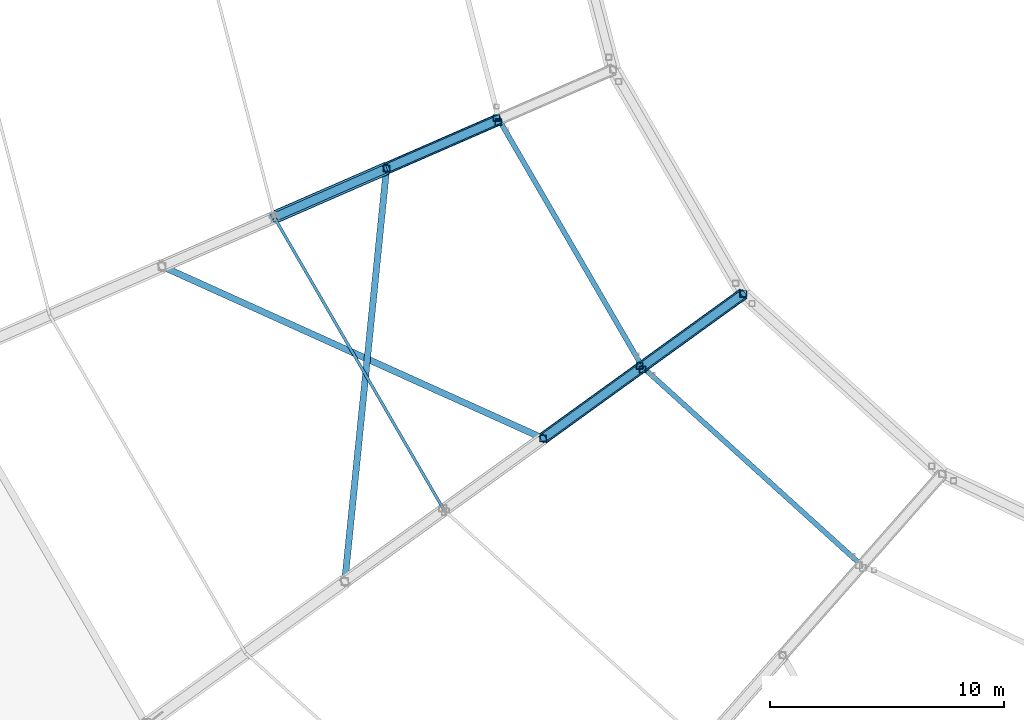
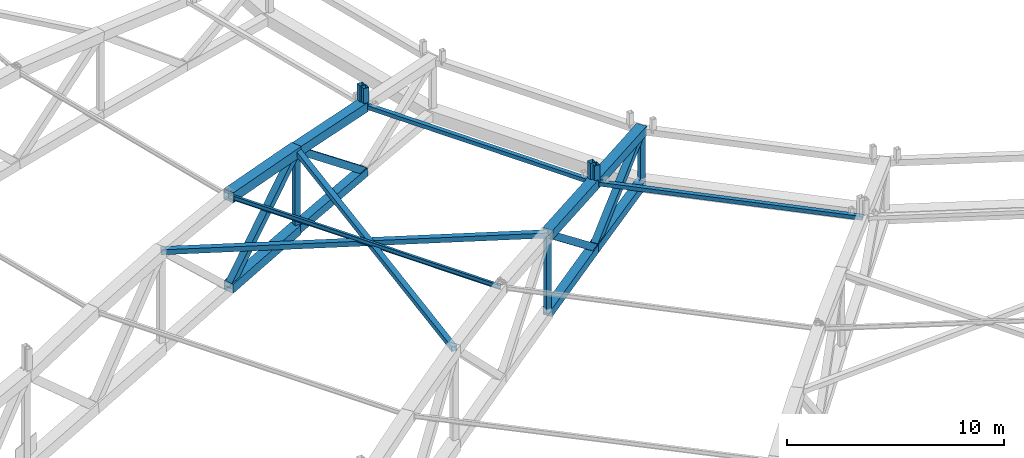
# One storey, part 23 of 162: 24 members.
"""IFC4 building model written with IfcOpenShell, lengths in metres."""

from ifc_helpers import new_model, si_unit, direction, frame, origin, origin_2d, place, context, subcontext, project, spatial, hollow_rectangle, i_section, extrude, material, material_profile, profile_set, type_object, element, save


model = new_model("IFC4")

# Units and contexts
model_context = context("Model", 3, precision=1e-05, world=origin(), true_north=direction((0.0, 1.0)))
body_context = subcontext(model_context, "Body", "Model", "MODEL_VIEW")
ifc_project = project(units=[si_unit("LENGTHUNIT", "METRE"), si_unit("AREAUNIT", "SQUARE_METRE"), si_unit("VOLUMEUNIT", "CUBIC_METRE"), si_unit("PLANEANGLEUNIT", "RADIAN"), si_unit("MASSUNIT", "GRAM", prefix="KILO")], contexts=[model_context])

# Site, building, storey
site_placement = place(None, origin())
site = spatial("IfcSite", under=ifc_project, at=site_placement, CompositionType="ELEMENT")
building_placement = place(site_placement, origin())
building = spatial("IfcBuilding", under=site, at=building_placement, Name="Kazemori Nagisa Stadium", CompositionType="ELEMENT")
storey_placement = place(building_placement, frame((0.0, 0.0, 36.719970703125)))
storey = spatial("IfcBuildingStorey", under=building, at=storey_placement, Name="RF", CompositionType="ELEMENT", Elevation=36.719970703125)

# Members
ifc_material_1 = material(Name="Steel STKR490", Category="steel")
ifc_material_profile_1 = material_profile(ifc_material_1, hollow_rectangle(XDim=0.280029296875, YDim=0.280029296875, WallThickness=0.010009765625, at=origin_2d()), Name="SHS-280x280x10")
ifc_profile_set_1 = profile_set([ifc_material_profile_1], Name="Steel STKR490")
member_type_1 = type_object("IfcMemberType", Name="Member_ST-SHS280", PredefinedType="STUD", material=ifc_profile_set_1)
member_1_placement = place(storey_placement, frame((70.45703125, 79.202880859375, 5.966064453125), z_axis=(0.0, 0.0, 1.0), x_axis=(1.0, 0.0, 0.0)))
element("IfcMember", 1, at=member_1_placement, inside=storey, type_object=member_type_1, Name="Canopy bearing stool B16-inner-3", PredefinedType="STUD", context=body_context, shape_type="SweptSolid", body=[
    extrude(hollow_rectangle(XDim=0.280029296875, YDim=0.280029296875, WallThickness=0.010009765625, at=origin_2d()), origin(), (0.0, 0.0, 1.0), 1.160888671875),
])
member_2_placement = place(storey_placement, frame((76.57470703125, 68.6064453125, 5.887939453125), z_axis=(0.0, 0.0, 1.0), x_axis=(1.0, 0.0, 0.0)))
element("IfcMember", 2, at=member_2_placement, inside=storey, type_object=member_type_1, Name="Canopy bearing stool B17-inner-3", PredefinedType="STUD", context=body_context, shape_type="SweptSolid", body=[
    extrude(hollow_rectangle(XDim=0.280029296875, YDim=0.280029296875, WallThickness=0.010009765625, at=origin_2d()), origin(), (0.0, 0.0, 1.0), 1.18505859375),
])
member_3_placement = place(storey_placement, frame((70.5361328125, 79.019775390625, 5.966064453125), z_axis=(0.0, 0.0, 1.0), x_axis=(1.0, 0.0, 0.0)))
element("IfcMember", 3, at=member_3_placement, inside=storey, type_object=member_type_1, Name="Canopy bearing stool B17-inner-4", PredefinedType="STUD", context=body_context, shape_type="SweptSolid", body=[
    extrude(hollow_rectangle(XDim=0.280029296875, YDim=0.280029296875, WallThickness=0.010009765625, at=origin_2d()), origin(), (0.0, 0.0, 1.0), 1.10693359375),
])
member_4_placement = place(storey_placement, frame((76.701416015625, 68.44677734375, 5.887939453125), z_axis=(0.0, 0.0, 1.0), x_axis=(1.0, 0.0, 0.0)))
element("IfcMember", 4, at=member_4_placement, inside=storey, type_object=member_type_1, Name="Canopy bearing stool B18-inner-4", PredefinedType="STUD", context=body_context, shape_type="SweptSolid", body=[
    extrude(hollow_rectangle(XDim=0.280029296875, YDim=0.280029296875, WallThickness=0.010009765625, at=origin_2d()), origin(), (0.0, 0.0, 1.0), 1.09912109375),
])
ifc_material_profile_2 = material_profile(ifc_material_1, hollow_rectangle(XDim=0.280029296875, YDim=0.280029296875, WallThickness=0.010009765625, at=origin_2d()), Name="SHS-280x280x10")
ifc_profile_set_2 = profile_set([ifc_material_profile_2], Name="Steel STKR490")
member_type_2 = type_object("IfcMemberType", Name="Member_TB-SHS280", PredefinedType="BRACE", material=ifc_profile_set_2)
member_5_placement = place(storey_placement, frame((56.158447265625, 72.8603515625, 6.6259765625), z_axis=(0.911301248093, -0.411400765763, -0.016716613129), x_axis=(0.411458259788, 0.911428604144, 0.0)))
element("IfcMember", 5, at=member_5_placement, inside=storey, type_object=member_type_2, Name="Roof space truss plan brace B17-1", PredefinedType="BRACE", context=body_context, shape_type="SweptSolid", body=[
    extrude(hollow_rectangle(XDim=0.280029296875, YDim=0.280029296875, WallThickness=0.010009765625, at=origin_2d()), origin(), (0.0, 0.0, 1.0), 17.876220703125),
])
member_6_placement = place(storey_placement, frame((63.971435546875, 59.385986328125, 6.56005859375), z_axis=(0.100653600345, 0.994886153832, -0.008390092404), x_axis=(-0.994921172515, 0.100657143219, 0.0)))
element("IfcMember", 6, at=member_6_placement, inside=storey, type_object=member_type_2, Name="Roof space truss plan brace B17-2", PredefinedType="BRACE", context=body_context, shape_type="SweptSolid", body=[
    extrude(hollow_rectangle(XDim=0.280029296875, YDim=0.280029296875, WallThickness=0.010009765625, at=origin_2d()), origin(), (0.0, 0.0, 1.0), 17.750244140625),
])
ifc_material_profile_3 = material_profile(ifc_material_1, hollow_rectangle(XDim=0.360107421875, YDim=0.360107421875, WallThickness=0.013916015625, at=origin_2d()), Name="SHS-360x360x14")
ifc_profile_set_3 = profile_set([ifc_material_profile_3], Name="Steel STKR490")
member_type_3 = type_object("IfcMemberType", Name="Member_TB-SHS360", PredefinedType="BRACE", material=ifc_profile_set_3)
member_7_placement = place(storey_placement, frame((60.958251953125, 74.952880859375, 1.630126953125), z_axis=(0.676937073197, 0.295118395441, 0.674285793714), x_axis=(-0.399634648115, 0.916674504951, 0.0)))
element("IfcMember", 7, at=member_7_placement, inside=storey, type_object=member_type_3, Name="Roof space truss diagonal RT-17-7", PredefinedType="BRACE", context=body_context, shape_type="SweptSolid", body=[
    extrude(hollow_rectangle(XDim=0.360107421875, YDim=0.360107421875, WallThickness=0.013916015625, at=origin_2d()), origin(), (0.0, 0.0, 1.0), 7.090576171875),
])
member_8_placement = place(storey_placement, frame((65.758056640625, 77.04541015625, 6.4111328125), z_axis=(0.719864160032, 0.313796330187, -0.619134439571), x_axis=(-0.399595467244, 0.916691585299, 0.0)))
element("IfcMember", 8, at=member_8_placement, inside=storey, type_object=member_type_3, Name="Roof space truss diagonal RT-17-8", PredefinedType="BRACE", context=body_context, shape_type="SweptSolid", body=[
    extrude(hollow_rectangle(XDim=0.360107421875, YDim=0.360107421875, WallThickness=0.013916015625, at=origin_2d()), origin(), (0.0, 0.0, 1.0), 6.667724609375),
])
member_9_placement = place(storey_placement, frame((72.448974609375, 65.506103515625, 6.3271484375), z_axis=(0.63793255739, 0.460537188937, -0.617209486178), x_axis=(-0.585330267791, 0.810794966442, 0.0)))
element("IfcMember", 9, at=member_9_placement, inside=storey, type_object=member_type_3, Name="Roof space truss diagonal RT-18-8", PredefinedType="BRACE", context=body_context, shape_type="SweptSolid", body=[
    extrude(hollow_rectangle(XDim=0.360107421875, YDim=0.360107421875, WallThickness=0.013916015625, at=origin_2d()), origin(), (0.0, 0.0, 1.0), 6.64453125),
])
member_10_placement = place(storey_placement, frame((76.687744140625, 68.566162109375, 2.22607421875), z_axis=(0.693623996756, 0.500752357778, 0.517815437492), x_axis=(-0.585338201733, 0.8107892387, 0.0)))
element("IfcMember", 10, at=member_10_placement, inside=storey, type_object=member_type_3, Name="Roof space truss diagonal RT-18-9", PredefinedType="BRACE", context=body_context, shape_type="SweptSolid", body=[
    extrude(hollow_rectangle(XDim=0.360107421875, YDim=0.360107421875, WallThickness=0.013916015625, at=origin_2d()), origin(), (0.0, 0.0, 1.0), 6.22412109375),
])
ifc_material_profile_4 = material_profile(ifc_material_1, hollow_rectangle(XDim=0.4599609375, YDim=0.4599609375, WallThickness=0.01611328125, at=origin_2d()), Name="SHS-460x460x16")
ifc_profile_set_4 = profile_set([ifc_material_profile_4], Name="Steel STKR490")
member_type_4 = type_object("IfcMemberType", Name="Member_TC-SHS460", PredefinedType="CHORD", material=ifc_profile_set_4)
member_11_placement = place(storey_placement, frame((65.758056640625, 77.04541015625, 2.0), z_axis=(0.915355944703, 0.399013247513, 0.05396223499), x_axis=(-0.399595467244, 0.916691585299, 0.0)))
element("IfcMember", 11, at=member_11_placement, inside=storey, type_object=member_type_4, Name="Roof space truss bottom chord RT-17-8", PredefinedType="CHORD", context=body_context, shape_type="SweptSolid", body=[
    extrude(hollow_rectangle(XDim=0.4599609375, YDim=0.4599609375, WallThickness=0.01611328125, at=origin_2d()), origin(), (0.0, 0.0, 1.0), 5.24365234375),
])
member_12_placement = place(storey_placement, frame((72.448974609375, 65.506103515625, 1.953125), z_axis=(0.80969215701, 0.584534126021, 0.052138914384), x_axis=(-0.585330267791, 0.810794966442, 0.0)))
element("IfcMember", 12, at=member_12_placement, inside=storey, type_object=member_type_4, Name="Roof space truss bottom chord RT-18-8", PredefinedType="CHORD", context=body_context, shape_type="SweptSolid", body=[
    extrude(hollow_rectangle(XDim=0.4599609375, YDim=0.4599609375, WallThickness=0.01611328125, at=origin_2d()), origin(), (0.0, 0.0, 1.0), 5.235107421875),
])
member_13_placement = place(storey_placement, frame((76.687744140625, 68.566162109375, 2.22607421875), z_axis=(0.810008177352, 0.584774325175, 0.043883268331), x_axis=(-0.585338201733, 0.8107892387, 0.0)))
element("IfcMember", 13, at=member_13_placement, inside=storey, type_object=member_type_4, Name="Roof space truss bottom chord RT-18-9", PredefinedType="CHORD", context=body_context, shape_type="SweptSolid", body=[
    extrude(hollow_rectangle(XDim=0.4599609375, YDim=0.4599609375, WallThickness=0.01611328125, at=origin_2d()), origin(), (0.0, 0.0, 1.0), 5.329833984375),
])
ifc_material_profile_5 = material_profile(ifc_material_1, hollow_rectangle(XDim=0.52001953125, YDim=0.52001953125, WallThickness=0.01904296875, at=origin_2d()), Name="SHS-520x520x19")
ifc_profile_set_5 = profile_set([ifc_material_profile_5], Name="Steel STKR490")
member_type_5 = type_object("IfcMemberType", Name="Member_TC-SHS520", PredefinedType="CHORD", material=ifc_profile_set_5)
member_14_placement = place(storey_placement, frame((60.958251953125, 74.952880859375, 1.630126953125), z_axis=(0.914395988837, 0.39864130317, 0.070463373504), x_axis=(-0.399634648115, 0.916674504951, 0.0)))
element("IfcMember", 14, at=member_14_placement, inside=storey, type_object=member_type_5, Name="Roof space truss bottom chord RT-17-7", PredefinedType="CHORD", context=body_context, shape_type="SweptSolid", body=[
    extrude(hollow_rectangle(XDim=0.52001953125, YDim=0.52001953125, WallThickness=0.01904296875, at=origin_2d()), origin(), (0.0, 0.0, 1.0), 5.249267578125),
])
member_15_placement = place(storey_placement, frame((65.758056640625, 77.04541015625, 6.4111328125), z_axis=(0.913397761276, 0.398159654839, -0.084696038596), x_axis=(-0.399595467244, 0.916691585299, 0.0)))
element("IfcMember", 15, at=member_15_placement, inside=storey, type_object=member_type_5, Name="Roof space truss top chord RT-17-8", PredefinedType="CHORD", context=body_context, shape_type="SweptSolid", body=[
    extrude(hollow_rectangle(XDim=0.52001953125, YDim=0.52001953125, WallThickness=0.01904296875, at=origin_2d()), origin(), (0.0, 0.0, 1.0), 5.2548828125),
])
member_16_placement = place(storey_placement, frame((72.448974609375, 65.506103515625, 6.3271484375), z_axis=(0.807948707504, 0.583275492446, -0.083717297823), x_axis=(-0.585330267791, 0.810794966442, 0.0)))
element("IfcMember", 16, at=member_16_placement, inside=storey, type_object=member_type_5, Name="Roof space truss top chord RT-18-8", PredefinedType="CHORD", context=body_context, shape_type="SweptSolid", body=[
    extrude(hollow_rectangle(XDim=0.52001953125, YDim=0.52001953125, WallThickness=0.01904296875, at=origin_2d()), origin(), (0.0, 0.0, 1.0), 5.246337890625),
])
member_17_placement = place(storey_placement, frame((76.687744140625, 68.566162109375, 5.887939453125), z_axis=(0.808047951572, 0.583359166983, -0.082161975735), x_axis=(-0.585338201733, 0.8107892387, 0.0)))
element("IfcMember", 17, at=member_17_placement, inside=storey, type_object=member_type_5, Name="Roof space truss top chord RT-18-9", PredefinedType="CHORD", context=body_context, shape_type="SweptSolid", body=[
    extrude(hollow_rectangle(XDim=0.52001953125, YDim=0.52001953125, WallThickness=0.01904296875, at=origin_2d()), origin(), (0.0, 0.0, 1.0), 5.3427734375),
])
ifc_material_profile_6 = material_profile(ifc_material_1, hollow_rectangle(XDim=0.56005859375, YDim=0.56005859375, WallThickness=0.02001953125, at=origin_2d()), Name="SHS-560x560x20")
ifc_profile_set_6 = profile_set([ifc_material_profile_6], Name="Steel STKR490")
member_type_6 = type_object("IfcMemberType", Name="Member_TC-SHS560", PredefinedType="CHORD", material=ifc_profile_set_6)
member_18_placement = place(storey_placement, frame((60.958251953125, 74.952880859375, 6.758056640625), z_axis=(0.91466906534, 0.398760353969, -0.066111126238), x_axis=(-0.399634648115, 0.916674504951, 0.0)))
element("IfcMember", 18, at=member_18_placement, inside=storey, type_object=member_type_6, Name="Roof space truss top chord RT-17-7", PredefinedType="CHORD", context=body_context, shape_type="SweptSolid", body=[
    extrude(hollow_rectangle(XDim=0.56005859375, YDim=0.56005859375, WallThickness=0.02001953125, at=origin_2d()), origin(), (0.0, 0.0, 1.0), 5.24755859375),
])
ifc_material_2 = material(Name="Steel SN490B", Category="steel")
ifc_material_profile_7 = material_profile(ifc_material_2, i_section(OverallWidth=0.125, OverallDepth=0.25, WebThickness=0.006103515625, FlangeThickness=0.009033203125, FilletRadius=0.008056640625, at=origin_2d()), Name="H-250x125x6x9")
ifc_profile_set_7 = profile_set([ifc_material_profile_7], Name="Steel SN490B")
member_type_7 = type_object("IfcMemberType", Name="Member_TP-H250", PredefinedType="PURLIN", material=ifc_profile_set_7)
member_19_placement = place(storey_placement, frame((60.958251953125, 74.952880859375, 6.758056640625), z_axis=(0.501605101619, -0.865076290928, -0.005944148794), x_axis=(0.865091574162, 0.501613963436, 0.0)))
element("IfcMember", 19, at=member_19_placement, inside=storey, type_object=member_type_7, Name="Roof purlin TP-H250 B17-P6", PredefinedType="PURLIN", context=body_context, shape_type="SweptSolid", body=[
    extrude(i_section(OverallWidth=0.125, OverallDepth=0.25, WebThickness=0.006103515625, FlangeThickness=0.009033203125, FilletRadius=0.008056640625, at=origin_2d()), origin(), (0.0, 0.0, 1.0), 14.45751953125),
])
ifc_material_profile_8 = material_profile(ifc_material_1, hollow_rectangle(XDim=0.219970703125, YDim=0.219970703125, WallThickness=0.009033203125, at=origin_2d()), Name="SHS-220x220x9")
ifc_profile_set_8 = profile_set([ifc_material_profile_8], Name="Steel STKR490")
member_type_8 = type_object("IfcMemberType", Name="Member_TP-SHS220", PredefinedType="PURLIN", material=ifc_profile_set_8)
member_20_placement = place(storey_placement, frame((70.557861328125, 79.1376953125, 5.966064453125), z_axis=(0.501609468203, -0.865070558493, -0.006392983504), x_axis=(0.865088236855, 0.501619718966, 0.0)))
element("IfcMember", 20, at=member_20_placement, inside=storey, type_object=member_type_8, Name="Roof purlin TP-SHS220 B17-P8", PredefinedType="PURLIN", context=body_context, shape_type="SweptSolid", body=[
    extrude(hollow_rectangle(XDim=0.219970703125, YDim=0.219970703125, WallThickness=0.009033203125, at=origin_2d()), origin(), (0.0, 0.0, 1.0), 12.220458984375),
])
member_21_placement = place(storey_placement, frame((76.687744140625, 68.566162109375, 5.887939453125), z_axis=(0.741320535874, -0.671101747024, -0.008142986781), x_axis=(0.671123997916, 0.741345114924, 0.0)))
element("IfcMember", 21, at=member_21_placement, inside=storey, type_object=member_type_8, Name="Roof purlin TP-SHS220 B18-P8", PredefinedType="PURLIN", context=body_context, shape_type="SweptSolid", body=[
    extrude(hollow_rectangle(XDim=0.219970703125, YDim=0.219970703125, WallThickness=0.009033203125, at=origin_2d()), origin(), (0.0, 0.0, 1.0), 12.65234375),
])
ifc_material_profile_9 = material_profile(ifc_material_1, hollow_rectangle(XDim=0.280029296875, YDim=0.280029296875, WallThickness=0.010009765625, at=origin_2d()), Name="SHS-280x280x10")
ifc_profile_set_9 = profile_set([ifc_material_profile_9], Name="Steel STKR490")
member_type_9 = type_object("IfcMemberType", Name="Member_TS-SHS280", PredefinedType="STRUT", material=ifc_profile_set_9)
member_22_placement = place(storey_placement, frame((65.758056640625, 77.04541015625, 2.0), z_axis=(0.0, 0.0, 1.0), x_axis=(1.0, 0.0, 0.0)))
element("IfcMember", 22, at=member_22_placement, inside=storey, type_object=member_type_9, Name="Roof space truss strut RT-17-8", PredefinedType="STRUT", context=body_context, shape_type="SweptSolid", body=[
    extrude(hollow_rectangle(XDim=0.280029296875, YDim=0.280029296875, WallThickness=0.010009765625, at=origin_2d()), origin(), (0.0, 0.0, 1.0), 4.4111328125),
])
member_23_placement = place(storey_placement, frame((72.448974609375, 65.506103515625, 1.953125), z_axis=(0.0, 0.0, 1.0), x_axis=(1.0, 0.0, 0.0)))
element("IfcMember", 23, at=member_23_placement, inside=storey, type_object=member_type_9, Name="Roof space truss strut RT-18-8", PredefinedType="STRUT", context=body_context, shape_type="SweptSolid", body=[
    extrude(hollow_rectangle(XDim=0.280029296875, YDim=0.280029296875, WallThickness=0.010009765625, at=origin_2d()), origin(), (0.0, 0.0, 1.0), 4.3740234375),
])
member_24_placement = place(storey_placement, frame((81.0048828125, 71.682861328125, 2.4599609375), z_axis=(0.0, 0.0, 1.0), x_axis=(1.0, 0.0, 0.0)))
element("IfcMember", 24, at=member_24_placement, inside=storey, type_object=member_type_9, Name="Roof space truss strut RT-18-10", PredefinedType="STRUT", context=body_context, shape_type="SweptSolid", body=[
    extrude(hollow_rectangle(XDim=0.280029296875, YDim=0.280029296875, WallThickness=0.010009765625, at=origin_2d()), origin(), (0.0, 0.0, 1.0), 2.989013671875),
])

save(model, "model.ifc")
